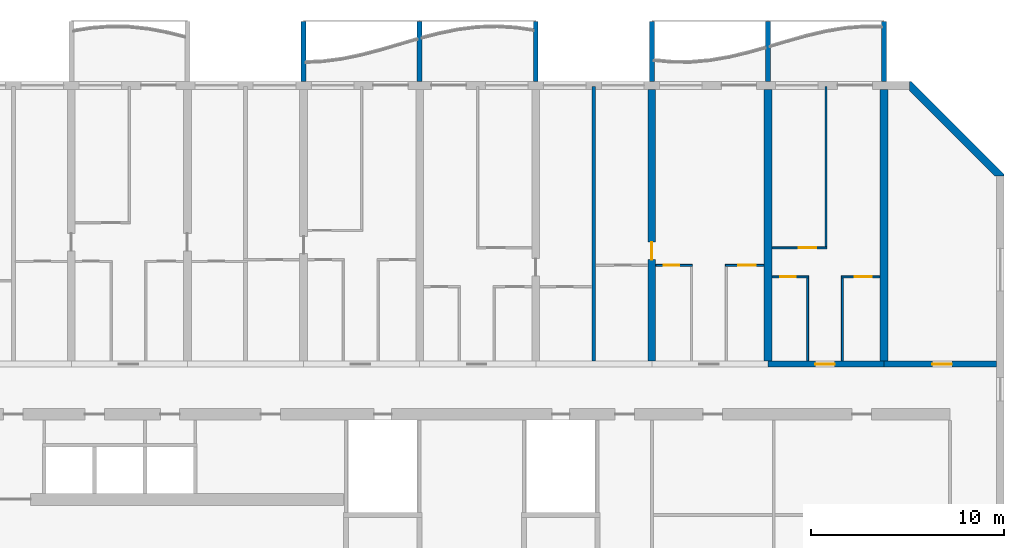
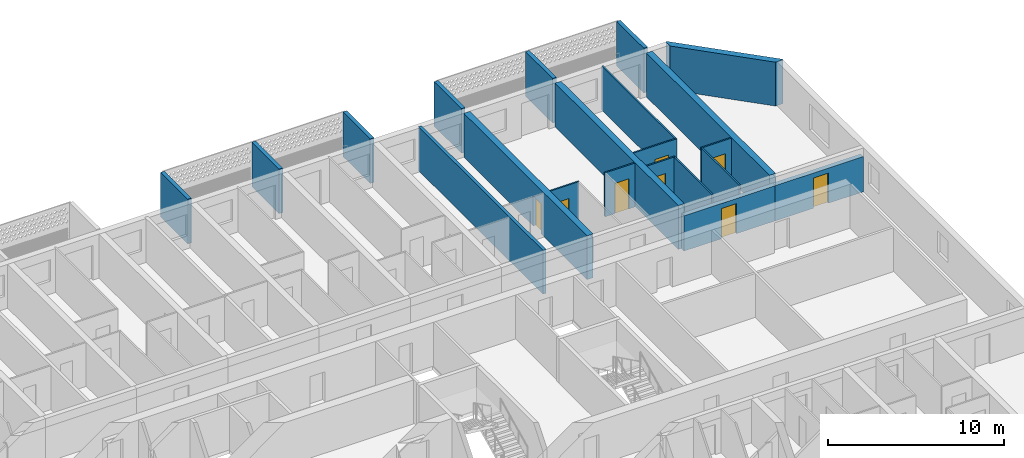
# One storey, part 17 of 38: 21 walls, 8 doors, 8 openings.
"""IFC4 building model written with IfcOpenShell, lengths in metres."""

from ifc_helpers import new_model, si_unit, direction, frame, frame_2d, origin, place, context, subcontext, project, spatial, polyline, rectangle, outline, extrude, source, transform, mapped, material, layer, layer_set, type_object, element, fill, save


model = new_model("IFC4")

# Units and contexts
model_context = context("Model", 3, precision=1e-05, world=origin(), true_north=direction((0.0, 1.0)))
body_context = subcontext(model_context, "Body", "Model", "MODEL_VIEW")
ifc_project = project(units=[si_unit("LENGTHUNIT", "METRE"), si_unit("AREAUNIT", "SQUARE_METRE"), si_unit("VOLUMEUNIT", "CUBIC_METRE"), si_unit("PLANEANGLEUNIT", "RADIAN"), si_unit("MASSUNIT", "GRAM", prefix="KILO")], contexts=[model_context])

# Site, building, storey
site_placement = place(None, origin())
site = spatial("IfcSite", under=ifc_project, at=site_placement, CompositionType="ELEMENT")
building_placement = place(site_placement, origin())
building = spatial("IfcBuilding", under=site, at=building_placement, Name="Poui Terraces", CompositionType="ELEMENT")
storey_placement = place(building_placement, frame((0.0, 0.0, 46.5)))
storey = spatial("IfcBuildingStorey", under=building, at=storey_placement, Name="L12", CompositionType="ELEMENT", Elevation=46.5)

# Wall, opening, door
ifc_material_1 = material(Name="Concrete 80 MPa", Category="concrete")
ifc_layer_1 = layer(ifc_material_1, 0.300048828125)
ifc_layer_set_1 = layer_set([ifc_layer_1], Name="Concrete 80 MPa")
wall_type_1 = type_object("IfcWallType", Name="CORRIDOR WALL 300 80MPa", PredefinedType="SHEAR", material=ifc_layer_set_1)
wall_1_placement = place(storey_placement, frame((90.0, 30.39990234375, 0.0), z_axis=(0.0, 0.0, 1.0), x_axis=(1.0, 0.0, 0.0)))
wall_1 = element("IfcWall", 1, at=wall_1_placement, inside=storey, type_object=wall_type_1, Name="CORRIDOR WALL LINE E BAY 16", PredefinedType="SHEAR", context=body_context, shape_type="SweptSolid", body=[
    extrude(rectangle(XDim=6.0, YDim=0.300048828125, at=frame_2d((3.0, 0.0))), origin(), (0.0, 0.0, 1.0), 2.449951171875),
])
opening_1_placement = place(wall_1_placement, frame((2.449951171875, 0.0, 0.0)))
opening_1 = element("IfcOpeningElement", 2, at=opening_1_placement, cuts=wall_1, Name="Opening FD30S", PredefinedType="OPENING", context=body_context, shape_type="SweptSolid", body=[
    extrude(rectangle(XDim=1.0, YDim=2.10009765625, at=frame_2d((0.5, 1.050048828125))), frame((0.0, 0.16015625, 0.0), z_axis=(0.0, -1.0, 0.0), x_axis=(1.0, 0.0, 0.0)), (0.0, 0.0, 1.0), 0.320068359375),
])
ifc_material_2 = material(Name="Steel fire door", Category="steel")
door_type_1 = type_object("IfcDoorType", Name="FLAT ENTRANCE DOOR 1000 X 2100", OperationType="NOTDEFINED", PredefinedType="DOOR", material=ifc_material_2)
door_1_placement = place(opening_1_placement, origin())
door_1 = element("IfcDoor", 3, at=door_1_placement, inside=storey, type_object=door_type_1, Name="FLAT ENTRANCE DOOR 088", OperationType="SINGLE_SWING_LEFT", OverallHeight=2.10009765625, OverallWidth=1.0, PredefinedType="DOOR", context=body_context, shape_type="SweptSolid", body=[
    extrude(rectangle(XDim=1.0, YDim=2.10009765625, at=frame_2d((0.5, 1.050048828125))), frame((0.0, 0.02490234375, 0.0), z_axis=(0.0, -1.0, 0.0), x_axis=(1.0, 0.0, 0.0)), (0.0, 0.0, 1.0), 0.050048828125),
])
fill(opening_1, door_1)

wall_2_placement = place(storey_placement, frame((96.0, 30.39990234375, 0.0), z_axis=(0.0, 0.0, 1.0), x_axis=(1.0, 0.0, 0.0)))
wall_2 = element("IfcWall", 4, at=wall_2_placement, inside=storey, type_object=wall_type_1, Name="CORRIDOR WALL LINE E BAY 17", PredefinedType="SHEAR", context=body_context, shape_type="SweptSolid", body=[
    extrude(rectangle(XDim=5.800048828125, YDim=0.300048828125, at=frame_2d((2.89990234375, 0.0))), origin(), (0.0, 0.0, 1.0), 2.449951171875),
])
opening_2_placement = place(wall_2_placement, frame((2.5, 0.0, 0.0)))
opening_2 = element("IfcOpeningElement", 5, at=opening_2_placement, cuts=wall_2, Name="Opening D100", PredefinedType="OPENING", context=body_context, shape_type="SweptSolid", body=[
    extrude(rectangle(XDim=1.0, YDim=2.10009765625, at=frame_2d((0.5, 1.050048828125))), frame((0.0, 0.16015625, 0.0), z_axis=(0.0, -1.0, 0.0), x_axis=(1.0, 0.0, 0.0)), (0.0, 0.0, 1.0), 0.320068359375),
])
ifc_material_3 = material(Name="Solid core timber door", Category="wood")
door_type_2 = type_object("IfcDoorType", Name="ACCESSIBLE INTERNAL DOOR 1000 X 2100", OperationType="NOTDEFINED", PredefinedType="DOOR", material=ifc_material_3)
door_2_placement = place(opening_2_placement, origin())
door_2 = element("IfcDoor", 6, at=door_2_placement, inside=storey, type_object=door_type_2, Name="ACCESSIBLE INTERNAL DOOR 090", OperationType="SINGLE_SWING_LEFT", OverallHeight=2.10009765625, OverallWidth=1.0, PredefinedType="DOOR", context=body_context, shape_type="SweptSolid", body=[
    extrude(rectangle(XDim=1.0, YDim=2.10009765625, at=frame_2d((0.5, 1.050048828125))), frame((0.0, 0.02490234375, 0.0), z_axis=(0.0, -1.0, 0.0), x_axis=(1.0, 0.0, 0.0)), (0.0, 0.0, 1.0), 0.050048828125),
])
fill(opening_2, door_2)

ifc_layer_2 = layer(ifc_material_1, 0.39990234375)
ifc_layer_set_2 = layer_set([ifc_layer_2], Name="Concrete 80 MPa")
wall_type_2 = type_object("IfcWallType", Name="CROSS WALL 400 80MPa", PredefinedType="SHEAR", material=ifc_layer_set_2)
wall_3_placement = place(storey_placement, frame((84.0, 30.550048828125, 0.0), z_axis=(0.0, 0.0, 1.0), x_axis=(0.0, 1.0, 0.0)))
wall_3 = element("IfcWall", 7, at=wall_3_placement, inside=storey, type_object=wall_type_2, Name="CROSS WALL LINE 15 NORTH", PredefinedType="SHEAR", context=body_context, shape_type="SweptSolid", body=[
    extrude(rectangle(XDim=14.050048828125, YDim=0.39990234375, at=frame_2d((7.02490234375, 0.0))), origin(), (0.0, 0.0, 1.0), 3.050048828125),
])
opening_3_placement = place(wall_3_placement, frame((5.25, 0.0, 0.0)))
opening_3 = element("IfcOpeningElement", 8, at=opening_3_placement, cuts=wall_3, Name="Opening D90", PredefinedType="OPENING", context=body_context, shape_type="SweptSolid", body=[
    extrude(rectangle(XDim=0.89990234375, YDim=2.10009765625, at=frame_2d((0.449951171875, 1.050048828125))), frame((0.0, 0.2099609375, 0.0), z_axis=(0.0, -1.0, 0.0), x_axis=(1.0, 0.0, 0.0)), (0.0, 0.0, 1.0), 0.419921875),
])
door_type_3 = type_object("IfcDoorType", Name="INTERNAL DOOR 900 X 2100", OperationType="NOTDEFINED", PredefinedType="DOOR", material=ifc_material_3)
door_3_placement = place(opening_3_placement, origin())
door_3 = element("IfcDoor", 9, at=door_3_placement, inside=storey, type_object=door_type_3, Name="INTERNAL DOOR 082", OperationType="SINGLE_SWING_LEFT", OverallHeight=2.10009765625, OverallWidth=0.89990234375, PredefinedType="DOOR", context=body_context, shape_type="SweptSolid", body=[
    extrude(rectangle(XDim=0.89990234375, YDim=2.10009765625, at=frame_2d((0.449951171875, 1.050048828125))), frame((0.0, 0.02490234375, 0.0), z_axis=(0.0, -1.0, 0.0), x_axis=(1.0, 0.0, 0.0)), (0.0, 0.0, 1.0), 0.050048828125),
])
fill(opening_3, door_3)

# Walls
for number, where, z_axis, x_axis, name in (
    (10, (90.0, 30.550048828125, 0.0), (0.0, 0.0, 1.0), (0.0, 1.0, 0.0), "CROSS WALL LINE 16 NORTH"),
    (11, (96.0, 30.550048828125, 0.0), (0.0, 0.0, 1.0), (0.0, 1.0, 0.0), "CROSS WALL LINE 17 NORTH"),
):
    element("IfcWall", number, at=place(storey_placement, frame(where, z_axis=z_axis, x_axis=x_axis)), inside=storey, type_object=wall_type_2, Name=name, PredefinedType="SHEAR", context=body_context, shape_type="SweptSolid", body=[
        extrude(rectangle(XDim=14.050048828125, YDim=0.39990234375, at=frame_2d((7.02490234375, 0.0))), origin(), (0.0, 0.0, 1.0), 3.050048828125),
    ])

# Wall, opening, door
ifc_material_4 = material(Name="Plasterboard partition")
ifc_layer_3 = layer(ifc_material_4, 0.10009765625)
ifc_layer_set_3 = layer_set([ifc_layer_3], Name="Plasterboard partition")
wall_type_3 = type_object("IfcWallType", Name="FLAT PARTITION 100", PredefinedType="PARTITIONING", material=ifc_layer_set_3)
wall_4_placement = place(storey_placement, frame((90.2099609375, 34.89990234375, 0.0), z_axis=(0.0, 0.0, 1.0), x_axis=(1.0, 0.0, 0.0)))
wall_4 = element("IfcWall", 12, at=wall_4_placement, inside=storey, type_object=wall_type_3, Name="FLAT PARTITION 100", PredefinedType="PARTITIONING", context=body_context, shape_type="SweptSolid", body=[
    extrude(rectangle(XDim=1.89013671875, YDim=0.10009765625, at=frame_2d((0.945068359375, 0.0))), origin(), (0.0, 0.0, 1.0), 3.050048828125),
])
opening_4_placement = place(wall_4_placement, frame((0.4150390625, 0.0, 0.0)))
opening_4 = element("IfcOpeningElement", 13, at=opening_4_placement, cuts=wall_4, Name="Opening D80", PredefinedType="OPENING", context=body_context, shape_type="SweptSolid", body=[
    extrude(rectangle(XDim=0.800048828125, YDim=2.10009765625, at=frame_2d((0.39990234375, 1.050048828125))), frame((0.0, 0.06005859375, 0.0), z_axis=(0.0, -1.0, 0.0), x_axis=(1.0, 0.0, 0.0)), (0.0, 0.0, 1.0), 0.1201171875),
])
door_type_4 = type_object("IfcDoorType", Name="BATHROOM, LAUNDRY AND STORE DOOR 800 X 2100", OperationType="NOTDEFINED", PredefinedType="DOOR", material=ifc_material_3)
door_4_placement = place(opening_4_placement, frame((0.800048828125, 0.0, 0.0), z_axis=(0.0, 0.0, 1.0), x_axis=(-1.0, 0.0, 0.0)))
door_4 = element("IfcDoor", 14, at=door_4_placement, inside=storey, type_object=door_type_4, Name="BATHROOM, LAUNDRY AND STORE DOOR 086", OperationType="SINGLE_SWING_LEFT", OverallHeight=2.10009765625, OverallWidth=0.800048828125, PredefinedType="DOOR", context=body_context, shape_type="SweptSolid", body=[
    extrude(rectangle(XDim=0.800048828125, YDim=2.10009765625, at=frame_2d((0.39990234375, 1.050048828125))), frame((0.0, 0.02490234375, 0.0), z_axis=(0.0, -1.0, 0.0), x_axis=(1.0, 0.0, 0.0)), (0.0, 0.0, 1.0), 0.050048828125),
])
fill(opening_4, door_4)

wall_5_placement = place(storey_placement, frame((93.800048828125, 34.89990234375, 0.0), z_axis=(0.0, 0.0, 1.0), x_axis=(1.0, 0.0, 0.0)))
wall_5 = element("IfcWall", 15, at=wall_5_placement, inside=storey, type_object=wall_type_3, Name="FLAT PARTITION 100", PredefinedType="PARTITIONING", context=body_context, shape_type="SweptSolid", body=[
    extrude(rectangle(XDim=1.989990234375, YDim=0.10009765625, at=frame_2d((0.9951171875, 0.0))), origin(), (0.0, 0.0, 1.0), 3.050048828125),
])
opening_5_placement = place(wall_5_placement, frame((0.675048828125, 0.0, 0.0)))
opening_5 = element("IfcOpeningElement", 16, at=opening_5_placement, cuts=wall_5, Name="Opening D90", PredefinedType="OPENING", context=body_context, shape_type="SweptSolid", body=[
    extrude(rectangle(XDim=0.89990234375, YDim=2.10009765625, at=frame_2d((0.449951171875, 1.050048828125))), frame((0.0, 0.06005859375, 0.0), z_axis=(0.0, -1.0, 0.0), x_axis=(1.0, 0.0, 0.0)), (0.0, 0.0, 1.0), 0.1201171875),
])
door_5_placement = place(opening_5_placement, frame((0.89990234375, 0.0, 0.0), z_axis=(0.0, 0.0, 1.0), x_axis=(-1.0, 0.0, 0.0)))
door_5 = element("IfcDoor", 17, at=door_5_placement, inside=storey, type_object=door_type_3, Name="INTERNAL DOOR 089", OperationType="SINGLE_SWING_RIGHT", OverallHeight=2.10009765625, OverallWidth=0.89990234375, PredefinedType="DOOR", context=body_context, shape_type="SweptSolid", body=[
    extrude(rectangle(XDim=0.89990234375, YDim=2.10009765625, at=frame_2d((0.449951171875, 1.050048828125))), frame((0.0, 0.02490234375, 0.0), z_axis=(0.0, -1.0, 0.0), x_axis=(1.0, 0.0, 0.0)), (0.0, 0.0, 1.0), 0.050048828125),
])
fill(opening_5, door_5)

wall_6_placement = place(storey_placement, frame((84.2099609375, 35.5, 0.0), z_axis=(0.0, 0.0, 1.0), x_axis=(1.0, 0.0, 0.0)))
wall_6 = element("IfcWall", 18, at=wall_6_placement, inside=storey, type_object=wall_type_3, Name="FLAT PARTITION 100", PredefinedType="PARTITIONING", context=body_context, shape_type="SweptSolid", body=[
    extrude(rectangle(XDim=1.89013671875, YDim=0.10009765625, at=frame_2d((0.945068359375, 0.0))), origin(), (0.0, 0.0, 1.0), 3.050048828125),
])
opening_6_placement = place(wall_6_placement, frame((0.4150390625, 0.0, 0.0)))
opening_6 = element("IfcOpeningElement", 19, at=opening_6_placement, cuts=wall_6, Name="Opening D80", PredefinedType="OPENING", context=body_context, shape_type="SweptSolid", body=[
    extrude(rectangle(XDim=0.800048828125, YDim=2.10009765625, at=frame_2d((0.39990234375, 1.050048828125))), frame((0.0, 0.06005859375, 0.0), z_axis=(0.0, -1.0, 0.0), x_axis=(1.0, 0.0, 0.0)), (0.0, 0.0, 1.0), 0.1201171875),
])
door_6_placement = place(opening_6_placement, frame((0.800048828125, 0.0, 0.0), z_axis=(0.0, 0.0, 1.0), x_axis=(-1.0, 0.0, 0.0)))
door_6 = element("IfcDoor", 20, at=door_6_placement, inside=storey, type_object=door_type_4, Name="BATHROOM, LAUNDRY AND STORE DOOR 083", OperationType="SINGLE_SWING_LEFT", OverallHeight=2.10009765625, OverallWidth=0.800048828125, PredefinedType="DOOR", context=body_context, shape_type="SweptSolid", body=[
    extrude(rectangle(XDim=0.800048828125, YDim=2.10009765625, at=frame_2d((0.39990234375, 1.050048828125))), frame((0.0, 0.02490234375, 0.0), z_axis=(0.0, -1.0, 0.0), x_axis=(1.0, 0.0, 0.0)), (0.0, 0.0, 1.0), 0.050048828125),
])
fill(opening_6, door_6)

wall_7_placement = place(storey_placement, frame((87.800048828125, 35.5, 0.0), z_axis=(0.0, 0.0, 1.0), x_axis=(1.0, 0.0, 0.0)))
wall_7 = element("IfcWall", 21, at=wall_7_placement, inside=storey, type_object=wall_type_3, Name="FLAT PARTITION 100", PredefinedType="PARTITIONING", context=body_context, shape_type="SweptSolid", body=[
    extrude(rectangle(XDim=1.989990234375, YDim=0.10009765625, at=frame_2d((0.9951171875, 0.0))), origin(), (0.0, 0.0, 1.0), 3.050048828125),
])
opening_7_placement = place(wall_7_placement, frame((0.675048828125, 0.0, 0.0)))
opening_7 = element("IfcOpeningElement", 22, at=opening_7_placement, cuts=wall_7, Name="Opening D90", PredefinedType="OPENING", context=body_context, shape_type="SweptSolid", body=[
    extrude(rectangle(XDim=0.89990234375, YDim=2.10009765625, at=frame_2d((0.449951171875, 1.050048828125))), frame((0.0, 0.06005859375, 0.0), z_axis=(0.0, -1.0, 0.0), x_axis=(1.0, 0.0, 0.0)), (0.0, 0.0, 1.0), 0.1201171875),
])
door_7_placement = place(opening_7_placement, frame((0.89990234375, 0.0, 0.0), z_axis=(0.0, 0.0, 1.0), x_axis=(-1.0, 0.0, 0.0)))
door_7 = element("IfcDoor", 23, at=door_7_placement, inside=storey, type_object=door_type_3, Name="INTERNAL DOOR 085", OperationType="SINGLE_SWING_RIGHT", OverallHeight=2.10009765625, OverallWidth=0.89990234375, PredefinedType="DOOR", context=body_context, shape_type="SweptSolid", body=[
    extrude(rectangle(XDim=0.89990234375, YDim=2.10009765625, at=frame_2d((0.449951171875, 1.050048828125))), frame((0.0, 0.02490234375, 0.0), z_axis=(0.0, -1.0, 0.0), x_axis=(1.0, 0.0, 0.0)), (0.0, 0.0, 1.0), 0.050048828125),
])
fill(opening_7, door_7)

wall_8_placement = place(storey_placement, frame((90.2099609375, 36.39990234375, 0.0), z_axis=(0.0, 0.0, 1.0), x_axis=(1.0, 0.0, 0.0)))
wall_8 = element("IfcWall", 24, at=wall_8_placement, inside=storey, type_object=wall_type_3, Name="FLAT PARTITION 100", PredefinedType="PARTITIONING", context=body_context, shape_type="SweptSolid", body=[
    extrude(rectangle(XDim=2.840087890625, YDim=0.10009765625, at=frame_2d((1.419921875, 0.0))), origin(), (0.0, 0.0, 1.0), 3.050048828125),
])
opening_8_placement = place(wall_8_placement, frame((1.389892578125, 0.0, 0.0)))
opening_8 = element("IfcOpeningElement", 25, at=opening_8_placement, cuts=wall_8, Name="Opening D90", PredefinedType="OPENING", context=body_context, shape_type="SweptSolid", body=[
    extrude(rectangle(XDim=0.89990234375, YDim=2.10009765625, at=frame_2d((0.449951171875, 1.050048828125))), frame((0.0, 0.06005859375, 0.0), z_axis=(0.0, -1.0, 0.0), x_axis=(1.0, 0.0, 0.0)), (0.0, 0.0, 1.0), 0.1201171875),
])
door_8_placement = place(opening_8_placement, frame((0.89990234375, 0.0, 0.0), z_axis=(0.0, 0.0, 1.0), x_axis=(-1.0, 0.0, 0.0)))
door_8 = element("IfcDoor", 26, at=door_8_placement, inside=storey, type_object=door_type_3, Name="INTERNAL DOOR 087", OperationType="SINGLE_SWING_RIGHT", OverallHeight=2.10009765625, OverallWidth=0.89990234375, PredefinedType="DOOR", context=body_context, shape_type="SweptSolid", body=[
    extrude(rectangle(XDim=0.89990234375, YDim=2.10009765625, at=frame_2d((0.449951171875, 1.050048828125))), frame((0.0, 0.02490234375, 0.0), z_axis=(0.0, -1.0, 0.0), x_axis=(1.0, 0.0, 0.0)), (0.0, 0.0, 1.0), 0.050048828125),
])
fill(opening_8, door_8)

# Walls
wall_9_placement = place(storey_placement, frame((92.050048828125, 30.56005859375, 0.0), z_axis=(0.0, 0.0, 1.0), x_axis=(0.0, 1.0, 0.0)))
element("IfcWall", 27, at=wall_9_placement, inside=storey, type_object=wall_type_3, Name="FLAT PARTITION 100", PredefinedType="PARTITIONING", context=body_context, shape_type="SweptSolid", body=[
    extrude(rectangle(XDim=4.2900390625, YDim=0.10009765625, at=frame_2d((2.14501953125, 0.0))), origin(), (0.0, 0.0, 1.0), 3.050048828125),
])
wall_10_placement = place(storey_placement, frame((93.0, 36.449951171875, 0.0), z_axis=(0.0, 0.0, 1.0), x_axis=(0.0, 1.0, 0.0)))
element("IfcWall", 28, at=wall_10_placement, inside=storey, type_object=wall_type_3, Name="FLAT PARTITION 100", PredefinedType="PARTITIONING", context=body_context, shape_type="SweptSolid", body=[
    extrude(rectangle(XDim=8.2900390625, YDim=0.10009765625, at=frame_2d((4.14501953125, 0.0))), origin(), (0.0, 0.0, 1.0), 3.050048828125),
])
wall_11_placement = place(storey_placement, frame((93.85009765625, 30.56005859375, 0.0), z_axis=(0.0, 0.0, 1.0), x_axis=(0.0, 1.0, 0.0)))
element("IfcWall", 29, at=wall_11_placement, inside=storey, type_object=wall_type_3, Name="FLAT PARTITION 100", PredefinedType="PARTITIONING", context=body_context, shape_type="SweptSolid", body=[
    extrude(rectangle(XDim=4.2900390625, YDim=0.10009765625, at=frame_2d((2.14501953125, 0.0))), origin(), (0.0, 0.0, 1.0), 3.050048828125),
])
ifc_material_5 = material(Name="Fire-rated masonry wall", Category="masonry")
ifc_layer_4 = layer(ifc_material_5, 0.199951171875)
ifc_layer_set_4 = layer_set([ifc_layer_4], Name="Fire-rated masonry wall")
wall_type_4 = type_object("IfcWallType", Name="FLAT PARTY WALL 200", PredefinedType="PARTITIONING", material=ifc_layer_set_4)
wall_12_placement = place(storey_placement, frame((81.0, 30.56005859375, 0.0), z_axis=(0.0, 0.0, 1.0), x_axis=(0.0, 1.0, 0.0)))
element("IfcWall", 30, at=wall_12_placement, inside=storey, type_object=wall_type_4, Name="FLAT PARTY WALL 200", PredefinedType="PARTITIONING", context=body_context, shape_type="SweptSolid", body=[
    extrude(rectangle(XDim=14.179931640625, YDim=0.199951171875, at=frame_2d((7.08984375, 0.0))), origin(), (0.0, 0.0, 1.0), 3.050048828125),
])
ifc_material_6 = material(Name="Precast concrete 40 MPa", Category="concrete")
ifc_layer_5 = layer(ifc_material_6, 0.39990234375)
ifc_layer_set_5 = layer_set([ifc_layer_5], Name="Precast concrete 40 MPa")
wall_type_5 = type_object("IfcWallType", Name="TERRACOTTA CLAD CHAMFER WALL 400", PredefinedType="STANDARD", material=ifc_layer_set_5)
wall_13_placement = place(storey_placement, origin())
element("IfcWall", 31, at=wall_13_placement, inside=storey, type_object=wall_type_5, Name="CHAMFER WALL CH03", PredefinedType="STANDARD", context=body_context, shape_type="SweptSolid", body=[
    extrude(outline(polyline([(102.199951171875, 40.1171875), (102.199951171875, 40.199951171875), (97.39990234375, 45.0), (97.317138671875, 45.0), (97.317138671875, 44.51708984375), (101.71728515625, 40.1171875), (102.199951171875, 40.1171875)])), origin(), (0.0, 0.0, 1.0), 3.050048828125),
])
ifc_layer_6 = layer(ifc_material_6, 0.25)
ifc_layer_set_6 = layer_set([ifc_layer_6], Name="Precast concrete 40 MPa")
wall_type_6 = type_object("IfcWallType", Name="BALCONY FIN 250", PredefinedType="STANDARD", material=ifc_layer_set_6)
shared_shape = source(origin(), body_context, "Body", "SweptSolid", [
    extrude(outline(polyline([(0.0, 0.0), (0.25, 0.0), (0.25, 3.10009765625), (0.0, 3.10009765625), (0.0, 0.0)])), origin(), (0.0, 0.0, 1.0), 3.10009765625),
])
for number, where, name in (
    (32, (65.875, 45.0, 0.0), "BALCONY FIN"),
    (33, (71.875, 45.0, 0.0), "BALCONY FIN"),
    (34, (77.875, 45.0, 0.0), "BALCONY FIN"),
    (35, (83.875, 45.0, 0.0), "BALCONY FIN"),
    (36, (89.875, 45.0, 0.0), "BALCONY FIN"),
    (37, (95.875, 45.0, 0.0), "BALCONY FIN"),
):
    element("IfcWall", number, at=place(storey_placement, frame(where)), inside=storey, type_object=wall_type_6, Name=name, PredefinedType="STANDARD", context=body_context, shape_type="MappedRepresentation", body=[
        mapped(shared_shape, transform((0.0, 0.0, 0.0))),
    ])

save(model, "model.ifc")
